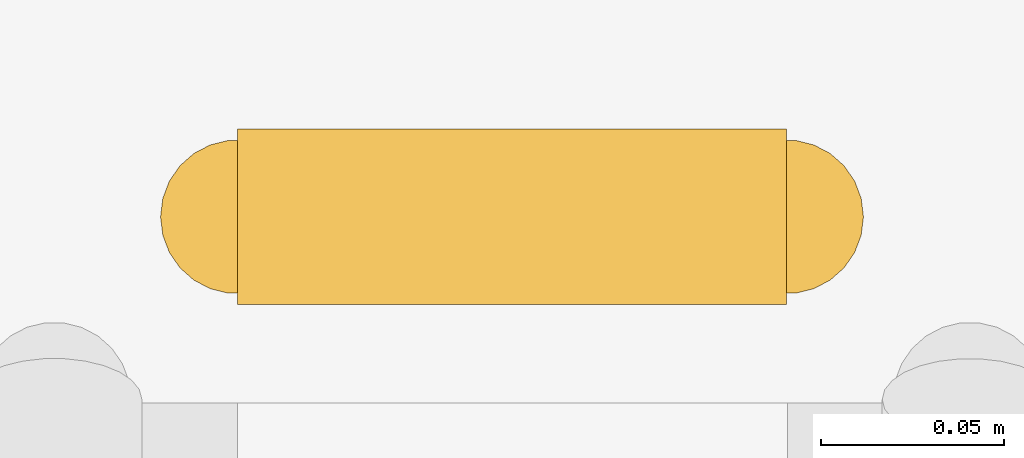
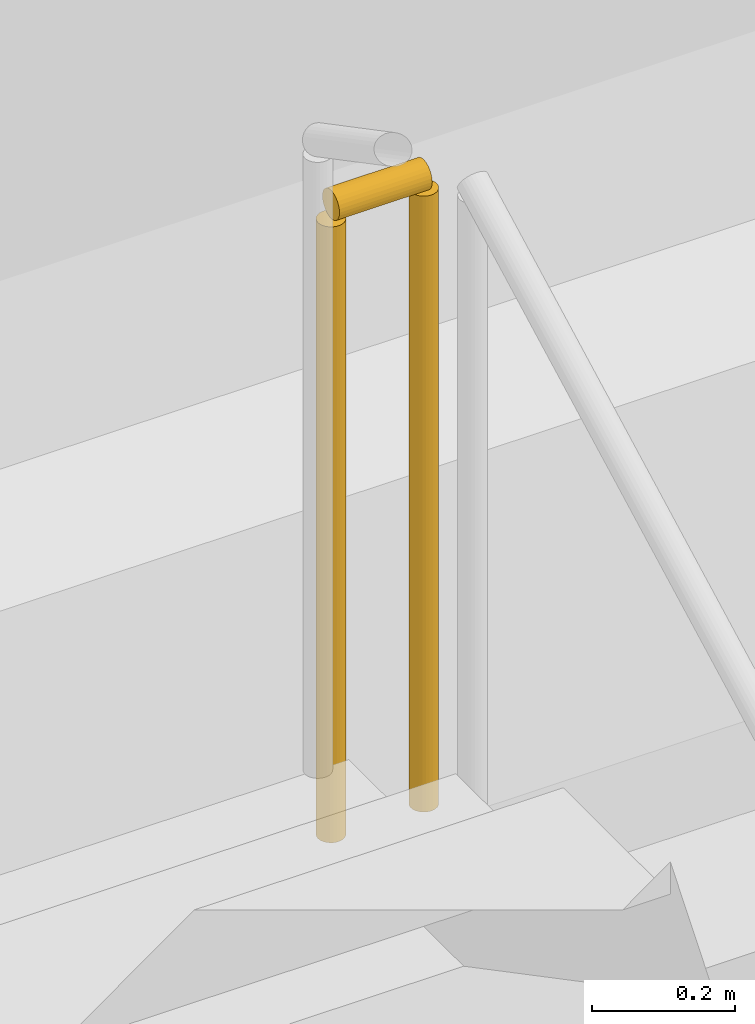
# One storey, part 163 of 198: 1 railing.
"""IFC4 building model written with IfcOpenShell, lengths in metres."""

import ifcopenshell
import ifcopenshell.guid

model = None  # the IFC model being written
_history = None  # IfcOwnerHistory: only IFC2X3 demands one
_inside = {}  # id of a spatial element -> (the spatial element, [elements in it])
_under = {}  # id of a project, library or spatial element -> (it, [spatial elements below it])
_declared = {}  # id of a project -> (the project, [libraries it declares])
_typed = {}  # id of a type object -> (the type object, [elements of that type])
_made_of = {}  # id of a material, layer set ... -> (it, [elements and type objects made of it])


def new_model(schema):
    """Start an empty IFC model of exactly this schema.

    Asked for "IFC4X3", IfcOpenShell would pick the latest addendum, in which some entities
    have other attributes; the version numbers below select the first issue.
    IFC2X3 requires an IfcOwnerHistory on every rooted entity: one is made here for all.
    """
    global model, _history
    if schema == "IFC4X3":
        model = ifcopenshell.file(schema_version=(4, 3, 0, 0))
    else:
        model = ifcopenshell.file(schema=schema)
    _inside.clear()
    _under.clear()
    _declared.clear()
    _typed.clear()
    _made_of.clear()
    _history = None
    if model.schema == "IFC2X3":
        org = make("IfcOrganization", Name="unknown")
        user = make(
            "IfcPersonAndOrganization",
            ThePerson=make("IfcPerson", FamilyName="unknown"),
            TheOrganization=org,
        )
        app = make(
            "IfcApplication",
            ApplicationDeveloper=org,
            Version="unknown",
            ApplicationFullName="unknown",
            ApplicationIdentifier="unknown",
        )
        _history = make(
            "IfcOwnerHistory",
            OwningUser=user,
            OwningApplication=app,
            ChangeAction="ADDED",
            CreationDate=0,
        )
    return model


def make(cls, **values):
    """One entity of the class cls with the attributes given. An attribute that is None is left unset."""
    return model.create_entity(
        cls, **{name: value for name, value in values.items() if value is not None}
    )


def rooted(cls, **values):
    """An entity with a GlobalId (a new one), such as an element, a storey or a relation."""
    return make(cls, GlobalId=ifcopenshell.guid.new(), OwnerHistory=_history, **values)


def si_unit(unit_type, name, prefix=None):
    """IfcSIUnit, for example si_unit("LENGTHUNIT", "METRE", prefix="MILLI")."""
    return make("IfcSIUnit", UnitType=unit_type, Prefix=prefix, Name=name)


def assignment(units):
    """IfcUnitAssignment: the units of a project."""
    return None if units is None else make("IfcUnitAssignment", Units=units)


def point(xyz):
    """IfcCartesianPoint."""
    return None if xyz is None else make("IfcCartesianPoint", Coordinates=xyz)


def direction(xyz):
    """IfcDirection."""
    return None if xyz is None else make("IfcDirection", DirectionRatios=xyz)


def frame(location, z_axis=None, x_axis=None):
    """IfcAxis2Placement3D, a coordinate frame: its origin and axes. An axis left out is left unset."""
    return make(
        "IfcAxis2Placement3D",
        Location=point(location),
        Axis=direction(z_axis),
        RefDirection=direction(x_axis),
    )


def frame_2d(location, x_axis=None):
    """IfcAxis2Placement2D, a coordinate frame in the plane: its origin and x axis."""
    return make(
        "IfcAxis2Placement2D", Location=point(location), RefDirection=direction(x_axis)
    )


def origin():
    """The frame at (0, 0, 0) with its axes left unset."""
    return frame((0.0, 0.0, 0.0))


def origin_2d():
    """The frame at (0, 0) in the plane with its x axis left unset."""
    return frame_2d((0.0, 0.0))


def place(relative_to, where):
    """IfcLocalPlacement: puts the frame where relative to a parent placement (None: the world)."""
    return make(
        "IfcLocalPlacement", PlacementRelTo=relative_to, RelativePlacement=where
    )


def context(
    kind, dimensions, precision=None, world=None, true_north=None, identifier=None
):
    """IfcGeometricRepresentationContext, for example the 3D "Model" context."""
    return make(
        "IfcGeometricRepresentationContext",
        ContextIdentifier=identifier,
        ContextType=kind,
        CoordinateSpaceDimension=dimensions,
        Precision=precision,
        WorldCoordinateSystem=world,
        TrueNorth=true_north,
    )


def subcontext(parent, identifier, kind, view, scale=None):
    """IfcGeometricRepresentationSubContext, for example "Body" below "Model"."""
    return make(
        "IfcGeometricRepresentationSubContext",
        ContextIdentifier=identifier,
        ContextType=kind,
        ParentContext=parent,
        TargetScale=scale,
        TargetView=view,
    )


def project(units=None, contexts=None):
    """IfcProject with its units and contexts."""
    return rooted(
        "IfcProject",
        Name="project",
        RepresentationContexts=contexts,
        UnitsInContext=assignment(units),
    )


def spatial(cls, under=None, at=None, **own):
    """A site, building, storey or space (cls), placed at a placement, below another one or the project."""
    s = rooted(cls, ObjectPlacement=at, **own)
    if under is not None:
        _under.setdefault(under.id(), (under, []))[1].append(s)
    return s


def profile(cls, at=None, kind="AREA", **sizes):
    """A parametric profile (cls). Its sizes go by their IFC names, for example OverallWidth=200.0."""
    return make(cls, ProfileType=kind, Position=at, **sizes)


def circle(**sizes):
    """IfcCircleProfileDef."""
    return profile("IfcCircleProfileDef", **sizes)


def extrude(swept, where, along, depth):
    """IfcExtrudedAreaSolid: the profile swept, set in the frame where, extruded along a direction by depth."""
    return make(
        "IfcExtrudedAreaSolid",
        SweptArea=swept,
        Position=where,
        ExtrudedDirection=direction(along),
        Depth=depth,
    )


def shape(context_of_items, identifier, shape_type, items):
    """IfcShapeRepresentation: the items that make up one representation, for example the "Body"."""
    return make(
        "IfcShapeRepresentation",
        ContextOfItems=context_of_items,
        RepresentationIdentifier=identifier,
        RepresentationType=shape_type,
        Items=items,
    )


def material(Name=None, Category=None):
    """IfcMaterial."""
    return make("IfcMaterial", Name=Name, Category=Category)


def constituent(of_material, Name=None, Category=None, fraction=None):
    """IfcMaterialConstituent: one of the materials an element consists of."""
    return make(
        "IfcMaterialConstituent",
        Name=Name,
        Material=of_material,
        Fraction=fraction,
        Category=Category,
    )


def constituent_set(constituents=None, Name=None):
    """IfcMaterialConstituentSet."""
    return make(
        "IfcMaterialConstituentSet", Name=Name, MaterialConstituents=constituents
    )


def made_of(thing, what):
    """Note that an element or type object is made of a material, layer set ...; save() writes the relation."""
    if what is not None:
        _made_of.setdefault(what.id(), (what, []))[1].append(thing)
    return thing


def type_object(cls, material=None, **own):
    """A type object (cls), such as IfcWallType, which elements share."""
    return made_of(rooted(cls, **own), material)


def element(
    cls,
    number,
    at=None,
    inside=None,
    cuts=None,
    type_object=None,
    material=None,
    context=None,
    identifier="Body",
    shape_type=None,
    held_by="IfcProductDefinitionShape",
    body=None,
    shapes=None,
    **own,
):
    """One element of the class cls, such as IfcWall. Its Tag is "e" and its number.

    at: its placement. inside: the storey or other place that contains it. cuts: it is an
    opening in that element (IfcRelVoidsElement). A single representation is given by context,
    identifier, shape_type and body (its items); several are given by shapes. held_by: the class
    of the entity that holds the representations. save() writes the other relations.
    """
    e = rooted(cls, Tag="e%d" % number, ObjectPlacement=at, **own)
    if body is not None:
        shapes = [shape(context, identifier, shape_type, body)]
    if shapes is not None:
        e.Representation = make(held_by, Representations=shapes)
    if inside is not None:
        _inside.setdefault(inside.id(), (inside, []))[1].append(e)
    if cuts is not None:
        rooted(
            "IfcRelVoidsElement", RelatingBuildingElement=cuts, RelatedOpeningElement=e
        )
    if type_object is not None:
        _typed.setdefault(type_object.id(), (type_object, []))[1].append(e)
    return made_of(e, material)


def aggregate(whole, parts):
    """IfcRelAggregates: a whole, such as a stair, and the parts it consists of."""
    return rooted("IfcRelAggregates", RelatingObject=whole, RelatedObjects=parts)


def save(model, path):
    """Write the relations noted so far, then the file.

    IfcRelAggregates (storeys below a building ...), IfcRelContainedInSpatialStructure (elements
    in a storey), IfcRelDefinesByType, IfcRelAssociatesMaterial and IfcRelDeclares: one each for
    every whole, place, type object, material and project.
    """
    for whole, parts in _under.values():
        aggregate(whole, parts)
    for where, things in _inside.values():
        rooted(
            "IfcRelContainedInSpatialStructure",
            RelatedElements=things,
            RelatingStructure=where,
        )
    for kind, things in _typed.values():
        rooted("IfcRelDefinesByType", RelatedObjects=things, RelatingType=kind)
    for what, things in _made_of.values():
        rooted("IfcRelAssociatesMaterial", RelatedObjects=things, RelatingMaterial=what)
    for by, libraries in _declared.values():
        rooted("IfcRelDeclares", RelatingContext=by, RelatedDefinitions=libraries)
    model.write(path)


model = new_model("IFC4")

# Units and contexts
model_context = context("Model", 3, precision=1e-05, world=origin(), true_north=direction((0.0, 1.0)))
body_context = subcontext(model_context, "Body", "Model", "MODEL_VIEW")
ifc_project = project(units=[si_unit("LENGTHUNIT", "METRE"), si_unit("AREAUNIT", "SQUARE_METRE"), si_unit("VOLUMEUNIT", "CUBIC_METRE"), si_unit("PLANEANGLEUNIT", "RADIAN"), si_unit("MASSUNIT", "GRAM", prefix="KILO")], contexts=[model_context])

# Site, building, storey
site_placement = place(None, origin())
site = spatial("IfcSite", under=ifc_project, at=site_placement, CompositionType="ELEMENT")
building_placement = place(site_placement, origin())
building = spatial("IfcBuilding", under=site, at=building_placement, Name="Opaline Strait Convention Centre", CompositionType="ELEMENT")
storey_placement = place(building_placement, origin())
storey = spatial("IfcBuildingStorey", under=building, at=storey_placement, Name="L00", CompositionType="ELEMENT", Elevation=0.0)

# Railing
ifc_material_1 = material(Name="Steel Q235B", Category="steel")
ifc_constituent_1 = constituent(ifc_material_1, Name="Frame")
ifc_material_2 = material(Name="Safety glass, bonded interlayer", Category="glass")
ifc_constituent_2 = constituent(ifc_material_2, Name="Infill")
ifc_constituent_set = constituent_set(constituents=[ifc_constituent_1, ifc_constituent_2], Name="Steel Q235B, Safety glass, bonded interlayer")
railing_type = type_object("IfcRailingType", Name="Stair guard 1100 steel and glass", PredefinedType="GUARDRAIL", material=ifc_constituent_set)
railing_placement = place(storey_placement, frame((155.14990234375, 70.39990234375, 3.0)))
element("IfcRailing", 1, at=railing_placement, inside=storey, type_object=railing_type, Name="L00 XST2 stair guard 2", PredefinedType="GUARDRAIL", context=body_context, shape_type="SweptSolid", body=[
    extrude(circle(Radius=0.02392578125, at=origin_2d()), frame((0.0, 0.0, 1.076171875), z_axis=(-1.0, 0.0, 0.0), x_axis=(0.0, -1.0, 0.0)), (0.0, 0.0, 1.0), 0.14990234375),
    extrude(circle(Radius=0.02099609375, at=origin_2d()), origin(), (0.0, 0.0, 1.0), 1.052001953125),
    extrude(circle(Radius=0.02099609375, at=origin_2d()), frame((-0.14990234375, 0.0, 0.0)), (0.0, 0.0, 1.0), 1.052001953125),
])

save(model, "model.ifc")
